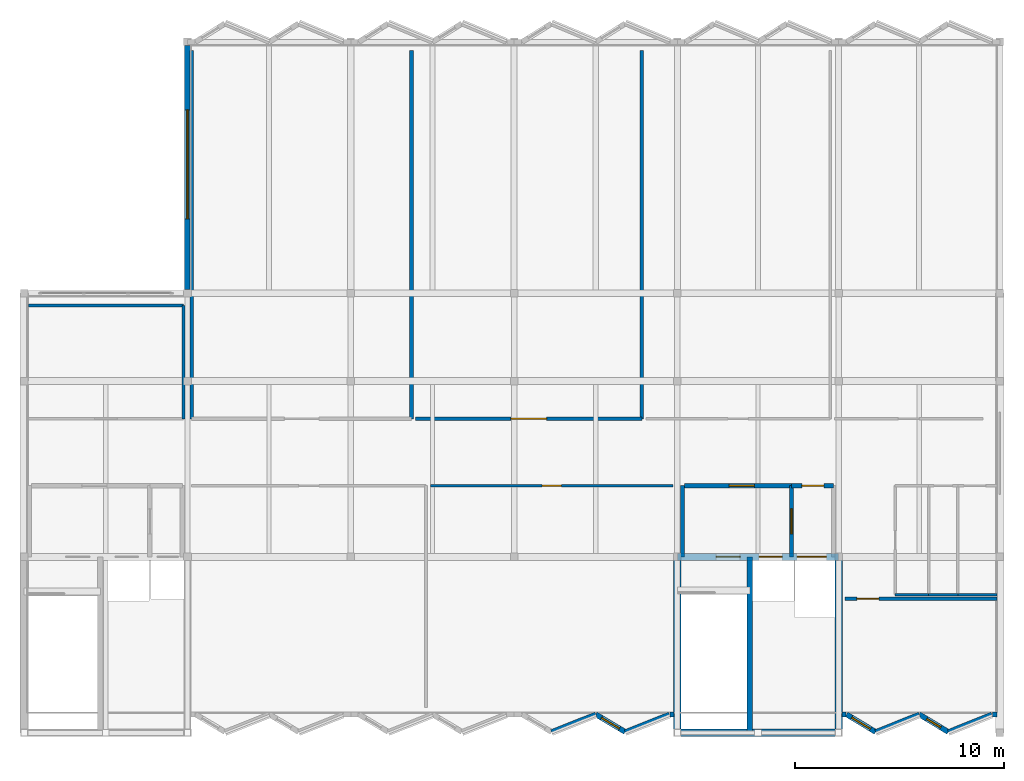
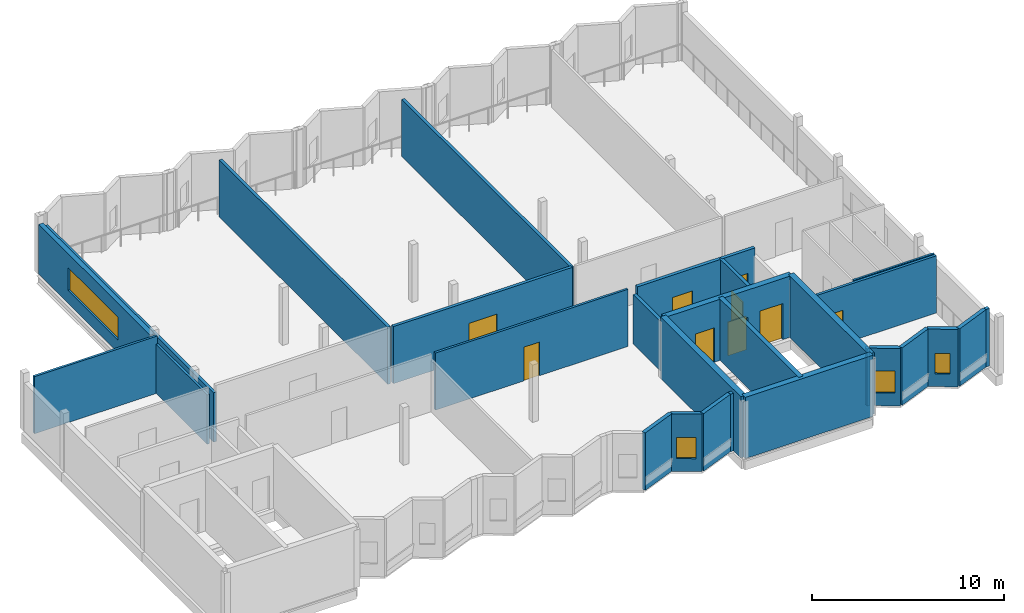
# One storey, part 5 of 8: 31 walls, 9 doors, 4 windows, 13 openings.
"""IFC4 building model written with IfcOpenShell, lengths in metres."""

from ifc_helpers import new_model, si_unit, direction, frame, frame_2d, origin, place, context, subcontext, project, spatial, rectangle, extrude, material, layer, layer_set, type_object, element, fill, save


model = new_model("IFC4")

# Units and contexts
model_context = context("Model", 3, precision=1e-05, world=origin(), true_north=direction((0.0, 1.0)))
body_context = subcontext(model_context, "Body", "Model", "MODEL_VIEW")
ifc_project = project(units=[si_unit("LENGTHUNIT", "METRE"), si_unit("AREAUNIT", "SQUARE_METRE"), si_unit("VOLUMEUNIT", "CUBIC_METRE"), si_unit("PLANEANGLEUNIT", "RADIAN"), si_unit("MASSUNIT", "GRAM", prefix="KILO")], contexts=[model_context])

# Site, building, storey
site_placement = place(None, origin())
site = spatial("IfcSite", under=ifc_project, at=site_placement, CompositionType="ELEMENT")
building_placement = place(site_placement, origin())
building = spatial("IfcBuilding", under=site, at=building_placement, Name="Vharandega Faculty of Natural Sciences", CompositionType="ELEMENT")
storey_placement = place(building_placement, frame((0.0, 0.0, 43.199951171875)))
storey = spatial("IfcBuildingStorey", under=building, at=storey_placement, Name="L11", CompositionType="ELEMENT", Elevation=43.199951171875)

# Walls
ifc_material_1 = material(Name="Acoustic masonry blockwork 15 MPa", Category="masonry")
ifc_layer_1 = layer(ifc_material_1, 0.179931640625, Name="Acoustic masonry blockwork 15 MPa")
ifc_layer_set_1 = layer_set([ifc_layer_1], Name="Acoustic masonry blockwork 15 MPa")
wall_type_1 = type_object("IfcWallType", Name="Acoustic Lecture Wall 180", PredefinedType="PARTITIONING", material=ifc_layer_set_1)
wall_1_placement = place(storey_placement, frame((122.800048828125, 79.0, 0.0), z_axis=(0.0, 0.0, 1.0), x_axis=(0.0, 1.0, 0.0)))
element("IfcWall", 1, at=wall_1_placement, inside=storey, type_object=wall_type_1, Name="Interior Wall PW-L11-R08W", PredefinedType="PARTITIONING", context=body_context, shape_type="SweptSolid", body=[
    extrude(rectangle(XDim=17.60009765625, YDim=0.179931640625, at=frame_2d((8.800048828125, 0.0))), origin(), (0.0, 0.0, 1.0), 3.14013671875),
])
wall_2_placement = place(storey_placement, frame((133.300048828125, 79.0, 0.0), z_axis=(0.0, 0.0, 1.0), x_axis=(0.0, 1.0, 0.0)))
element("IfcWall", 2, at=wall_2_placement, inside=storey, type_object=wall_type_1, Name="Interior Wall PW-L11-R08E", PredefinedType="PARTITIONING", context=body_context, shape_type="SweptSolid", body=[
    extrude(rectangle(XDim=17.60009765625, YDim=0.179931640625, at=frame_2d((8.800048828125, 0.0))), origin(), (0.0, 0.0, 1.0), 3.64013671875),
])

# Wall, opening, door
wall_3_placement = place(storey_placement, frame((133.5, 79.0, 0.0), z_axis=(0.0, 0.0, 1.0), x_axis=(1.0, 0.0, 0.0)))
wall_3 = element("IfcWall", 3, at=wall_3_placement, inside=storey, type_object=wall_type_1, Name="Interior Wall PW-L11-R09S", PredefinedType="PARTITIONING", context=body_context, shape_type="SweptSolid", body=[
    extrude(rectangle(XDim=10.800048828125, YDim=0.179931640625, at=frame_2d((5.39990234375, 0.0))), origin(), (0.0, 0.0, 1.0), 3.64013671875),
])
opening_1_placement = place(wall_3_placement, frame((4.550048828125, 0.0, 0.0)))
opening_1 = element("IfcOpeningElement", 4, at=opening_1_placement, cuts=wall_3, Name="Opening D0391", PredefinedType="OPENING", context=body_context, shape_type="SweptSolid", body=[
    extrude(rectangle(XDim=1.699951171875, YDim=2.25, at=frame_2d((0.85009765625, 1.125))), frame((0.0, 0.10009765625, 0.0), z_axis=(0.0, -1.0, 0.0), x_axis=(1.0, 0.0, 0.0)), (0.0, 0.0, 1.0), 0.199951171875),
])
ifc_material_2 = material(Name="Solid-core hardwood timber fire door", Category="wood")
door_type_1 = type_object("IfcDoorType", Name="ID01-LECTURE-DBL-1700x2250", OperationType="DOUBLE_DOOR_SINGLE_SWING", PredefinedType="DOOR", material=ifc_material_2)
door_1_placement = place(opening_1_placement, origin())
door_1 = element("IfcDoor", 5, at=door_1_placement, inside=storey, type_object=door_type_1, Name="Natural Sciences Senior Colloquium Hall Door D0391", OperationType="DOUBLE_DOOR_SINGLE_SWING", OverallHeight=2.25, OverallWidth=1.699951171875, PredefinedType="DOOR", context=body_context, shape_type="SweptSolid", body=[
    extrude(rectangle(XDim=1.699951171875, YDim=2.25, at=frame_2d((0.85009765625, 1.125))), frame((0.0, 0.02490234375, 0.0), z_axis=(0.0, -1.0, 0.0), x_axis=(1.0, 0.0, 0.0)), (0.0, 0.0, 1.0), 0.050048828125),
])
fill(opening_1, door_1)

# Walls
wall_4_placement = place(storey_placement, frame((144.300048828125, 79.0, 0.0), z_axis=(0.0, 0.0, 1.0), x_axis=(0.0, 1.0, 0.0)))
element("IfcWall", 6, at=wall_4_placement, inside=storey, type_object=wall_type_1, Name="Interior Wall PW-L11-R09E", PredefinedType="PARTITIONING", context=body_context, shape_type="SweptSolid", body=[
    extrude(rectangle(XDim=17.60009765625, YDim=0.179931640625, at=frame_2d((8.800048828125, 0.0))), origin(), (0.0, 0.0, 1.0), 3.64013671875),
])
ifc_material_3 = material(Name="Concrete C40/50", Category="concrete")
ifc_layer_2 = layer(ifc_material_3, 0.35009765625, Name="Concrete C40/50")
ifc_layer_set_2 = layer_set([ifc_layer_2], Name="Concrete C40/50")
wall_type_2 = type_object("IfcWallType", Name="Core Shear Wall 350", PredefinedType="SHEAR", material=ifc_layer_set_2)
wall_5_placement = place(storey_placement, frame((146.0, 64.0, 0.0), z_axis=(0.0, 0.0, 1.0), x_axis=(1.0, 0.0, 0.0)))
element("IfcWall", 7, at=wall_5_placement, inside=storey, type_object=wall_type_2, Name="Interior Wall CW-C2-L11-S", PredefinedType="SHEAR", context=body_context, shape_type="SweptSolid", body=[
    extrude(rectangle(XDim=7.699951171875, YDim=0.35009765625, at=frame_2d((3.85009765625, 0.0))), origin(), (0.0, 0.0, 1.0), 3.900146484375),
])
for number, where, z_axis, x_axis, name in (
    (8, (146.0, 64.0, 0.0), (0.0, 0.0, 1.0), (0.0, 1.0, 0.0), "Interior Wall CW-C2-L11-W"),
    (9, (153.699951171875, 64.0, 0.0), (0.0, 0.0, 1.0), (0.0, 1.0, 0.0), "Interior Wall CW-C2-L11-E"),
):
    element("IfcWall", number, at=place(storey_placement, frame(where, z_axis=z_axis, x_axis=x_axis)), inside=storey, type_object=wall_type_2, Name=name, PredefinedType="SHEAR", context=body_context, shape_type="SweptSolid", body=[
        extrude(rectangle(XDim=8.39990234375, YDim=0.35009765625, at=frame_2d((4.199951171875, 0.0))), origin(), (0.0, 0.0, 1.0), 3.900146484375),
    ])

# Wall, openings, doors
wall_6_placement = place(storey_placement, frame((146.0, 72.39990234375, 0.0), z_axis=(0.0, 0.0, 1.0), x_axis=(1.0, 0.0, 0.0)))
wall_6 = element("IfcWall", 10, at=wall_6_placement, inside=storey, type_object=wall_type_2, Name="Interior Wall CW-C2-L11-N", PredefinedType="SHEAR", context=body_context, shape_type="SweptSolid", body=[
    extrude(rectangle(XDim=7.699951171875, YDim=0.35009765625, at=frame_2d((3.85009765625, 0.0))), origin(), (0.0, 0.0, 1.0), 3.900146484375),
])
opening_2_placement = place(wall_6_placement, frame((1.85009765625, 0.0, 0.0)))
opening_2 = element("IfcOpeningElement", 11, at=opening_2_placement, cuts=wall_6, Name="Opening FD1", PredefinedType="OPENING", context=body_context, shape_type="SweptSolid", body=[
    extrude(rectangle(XDim=1.14990234375, YDim=2.199951171875, at=frame_2d((0.574951171875, 1.10009765625))), frame((0.0, 0.18505859375, 0.0), z_axis=(0.0, -1.0, 0.0), x_axis=(1.0, 0.0, 0.0)), (0.0, 0.0, 1.0), 0.3701171875),
])
opening_3_placement = place(wall_6_placement, frame((3.89990234375, 0.0, 0.0)))
opening_3 = element("IfcOpeningElement", 12, at=opening_3_placement, cuts=wall_6, Name="Opening LD-FL2-L11", PredefinedType="OPENING", context=body_context, shape_type="SweptSolid", body=[
    extrude(rectangle(XDim=1.10009765625, YDim=2.14990234375, at=frame_2d((0.550048828125, 1.074951171875))), frame((0.0, 0.18505859375, 0.0), z_axis=(0.0, -1.0, 0.0), x_axis=(1.0, 0.0, 0.0)), (0.0, 0.0, 1.0), 0.3701171875),
])
opening_4_placement = place(wall_6_placement, frame((5.719970703125, 0.0, 0.0)))
opening_4 = element("IfcOpeningElement", 13, at=opening_4_placement, cuts=wall_6, Name="Opening LD-LG1-L11", PredefinedType="OPENING", context=body_context, shape_type="SweptSolid", body=[
    extrude(rectangle(XDim=1.39990234375, YDim=2.300048828125, at=frame_2d((0.699951171875, 1.14990234375))), frame((0.0, 0.18505859375, 0.0), z_axis=(0.0, -1.0, 0.0), x_axis=(1.0, 0.0, 0.0)), (0.0, 0.0, 1.0), 0.3701171875),
])
ifc_material_4 = material(Name="Solid-core hardwood timber fire door", Category="wood")
door_type_2 = type_object("IfcDoorType", Name="FD1-STAIR-1150x2200", OperationType="NOTDEFINED", PredefinedType="DOOR", material=ifc_material_4)
door_2_placement = place(opening_2_placement, origin())
door_2 = element("IfcDoor", 14, at=door_2_placement, inside=storey, type_object=door_type_2, Name="Stair ST2 Fire Door FD1", OperationType="SINGLE_SWING_LEFT", OverallHeight=2.199951171875, OverallWidth=1.14990234375, PredefinedType="DOOR", context=body_context, shape_type="SweptSolid", body=[
    extrude(rectangle(XDim=1.14990234375, YDim=2.199951171875, at=frame_2d((0.574951171875, 1.10009765625))), frame((0.0, 0.02490234375, 0.0), z_axis=(0.0, -1.0, 0.0), x_axis=(1.0, 0.0, 0.0)), (0.0, 0.0, 1.0), 0.050048828125),
])
fill(opening_2, door_2)
ifc_material_5 = material(Name="Brushed stainless steel sliding landing door", Category="steel")
door_type_3 = type_object("IfcDoorType", Name="LD1-FFLIFT-SLIDING-1100x2150", OperationType="DOUBLE_DOOR_SLIDING", PredefinedType="DOOR", material=ifc_material_5)
door_3_placement = place(opening_3_placement, origin())
door_3 = element("IfcDoor", 15, at=door_3_placement, inside=storey, type_object=door_type_3, Name="Lift Landing Door LD-FL2-L11", OperationType="DOUBLE_DOOR_SLIDING", OverallHeight=2.14990234375, OverallWidth=1.10009765625, PredefinedType="DOOR", context=body_context, shape_type="SweptSolid", body=[
    extrude(rectangle(XDim=1.10009765625, YDim=2.14990234375, at=frame_2d((0.550048828125, 1.074951171875))), frame((0.0, 0.02490234375, 0.0), z_axis=(0.0, -1.0, 0.0), x_axis=(1.0, 0.0, 0.0)), (0.0, 0.0, 1.0), 0.050048828125),
])
fill(opening_3, door_3)
ifc_material_6 = material(Name="Brushed stainless steel sliding landing door", Category="steel")
door_type_4 = type_object("IfcDoorType", Name="LD3-GOODSLIFT-SLIDING-1400x2300", OperationType="DOUBLE_DOOR_SLIDING", PredefinedType="DOOR", material=ifc_material_6)
door_4_placement = place(opening_4_placement, origin())
door_4 = element("IfcDoor", 16, at=door_4_placement, inside=storey, type_object=door_type_4, Name="Lift Landing Door LD-LG1-L11", OperationType="DOUBLE_DOOR_SLIDING", OverallHeight=2.300048828125, OverallWidth=1.39990234375, PredefinedType="DOOR", context=body_context, shape_type="SweptSolid", body=[
    extrude(rectangle(XDim=1.39990234375, YDim=2.300048828125, at=frame_2d((0.699951171875, 1.14990234375))), frame((0.0, 0.02490234375, 0.0), z_axis=(0.0, -1.0, 0.0), x_axis=(1.0, 0.0, 0.0)), (0.0, 0.0, 1.0), 0.050048828125),
])
fill(opening_4, door_4)

# Wall, opening, door
ifc_material_7 = material(Name="Concrete C40/50", Category="concrete")
ifc_layer_3 = layer(ifc_material_7, 0.199951171875, Name="Concrete C40/50")
ifc_layer_set_3 = layer_set([ifc_layer_3], Name="Concrete C40/50")
wall_type_3 = type_object("IfcWallType", Name="Firefighting Lobby Wall 200", PredefinedType="PARTITIONING", material=ifc_layer_set_3)
wall_7_placement = place(storey_placement, frame((146.35009765625, 75.800048828125, 0.0), z_axis=(0.0, 0.0, 1.0), x_axis=(1.0, 0.0, 0.0)))
wall_7 = element("IfcWall", 17, at=wall_7_placement, inside=storey, type_object=wall_type_3, Name="Interior Wall PW-FFL-C2-L11-N", PredefinedType="PARTITIONING", context=body_context, shape_type="SweptSolid", body=[
    extrude(rectangle(XDim=5.099853515625, YDim=0.199951171875, at=frame_2d((2.5498046875, 0.0))), origin(), (0.0, 0.0, 1.0), 3.6201171875),
])
opening_5_placement = place(wall_7_placement, frame((2.125, 0.0, 0.0)))
opening_5 = element("IfcOpeningElement", 18, at=opening_5_placement, cuts=wall_7, Name="Opening FD2", PredefinedType="OPENING", context=body_context, shape_type="SweptSolid", body=[
    extrude(rectangle(XDim=1.199951171875, YDim=2.199951171875, at=frame_2d((0.60009765625, 1.10009765625))), frame((0.0, 0.10986328125, 0.0), z_axis=(0.0, -1.0, 0.0), x_axis=(1.0, 0.0, 0.0)), (0.0, 0.0, 1.0), 0.219970703125),
])
ifc_material_8 = material(Name="Solid-core hardwood timber fire door", Category="wood")
door_type_5 = type_object("IfcDoorType", Name="FD2-FFLOBBY-1200x2200", OperationType="NOTDEFINED", PredefinedType="DOOR", material=ifc_material_8)
door_5_placement = place(opening_5_placement, origin())
door_5 = element("IfcDoor", 19, at=door_5_placement, inside=storey, type_object=door_type_5, Name="Firefighting Lobby C2 Door FD2", OperationType="SINGLE_SWING_LEFT", OverallHeight=2.199951171875, OverallWidth=1.199951171875, PredefinedType="DOOR", context=body_context, shape_type="SweptSolid", body=[
    extrude(rectangle(XDim=1.199951171875, YDim=2.199951171875, at=frame_2d((0.60009765625, 1.10009765625))), frame((0.0, 0.02490234375, 0.0), z_axis=(0.0, -1.0, 0.0), x_axis=(1.0, 0.0, 0.0)), (0.0, 0.0, 1.0), 0.050048828125),
])
fill(opening_5, door_5)

# Wall
wall_8_placement = place(storey_placement, frame((146.25, 72.39990234375, 0.0), z_axis=(0.0, 0.0, 1.0), x_axis=(0.0, 1.0, 0.0)))
element("IfcWall", 20, at=wall_8_placement, inside=storey, type_object=wall_type_3, Name="Interior Wall PW-FFL-C2-L11-W", PredefinedType="PARTITIONING", context=body_context, shape_type="SweptSolid", body=[
    extrude(rectangle(XDim=3.400146484375, YDim=0.199951171875, at=frame_2d((1.7001953125, 0.0))), origin(), (0.0, 0.0, 1.0), 3.14013671875),
])

# Wall, opening, door
wall_9_placement = place(storey_placement, frame((151.449951171875, 72.39990234375, 0.0), z_axis=(0.0, 0.0, 1.0), x_axis=(0.0, 1.0, 0.0)))
wall_9 = element("IfcWall", 21, at=wall_9_placement, inside=storey, type_object=wall_type_3, Name="Interior Wall PW-FFL-C2-L11-E", PredefinedType="PARTITIONING", context=body_context, shape_type="SweptSolid", body=[
    extrude(rectangle(XDim=3.400146484375, YDim=0.199951171875, at=frame_2d((1.7001953125, 0.0))), origin(), (0.0, 0.0, 1.0), 3.6201171875),
])
opening_6_placement = place(wall_9_placement, frame((1.10009765625, 0.0, 0.0)))
opening_6 = element("IfcOpeningElement", 22, at=opening_6_placement, cuts=wall_9, Name="Opening FD2", PredefinedType="OPENING", context=body_context, shape_type="SweptSolid", body=[
    extrude(rectangle(XDim=1.199951171875, YDim=2.199951171875, at=frame_2d((0.60009765625, 1.10009765625))), frame((0.0, 0.10986328125, 0.0), z_axis=(0.0, -1.0, 0.0), x_axis=(1.0, 0.0, 0.0)), (0.0, 0.0, 1.0), 0.219970703125),
])
door_6_placement = place(opening_6_placement, origin())
door_6 = element("IfcDoor", 23, at=door_6_placement, inside=storey, type_object=door_type_5, Name="Lobby Interconnect C2 Door FD2", OperationType="SINGLE_SWING_RIGHT", OverallHeight=2.199951171875, OverallWidth=1.199951171875, PredefinedType="DOOR", context=body_context, shape_type="SweptSolid", body=[
    extrude(rectangle(XDim=1.199951171875, YDim=2.199951171875, at=frame_2d((0.60009765625, 1.10009765625))), frame((0.0, 0.02490234375, 0.0), z_axis=(0.0, -1.0, 0.0), x_axis=(1.0, 0.0, 0.0)), (0.0, 0.0, 1.0), 0.050048828125),
])
fill(opening_6, door_6)

wall_10_placement = place(storey_placement, frame((151.449951171875, 75.800048828125, 0.0), z_axis=(0.0, 0.0, 1.0), x_axis=(1.0, 0.0, 0.0)))
wall_10 = element("IfcWall", 24, at=wall_10_placement, inside=storey, type_object=wall_type_3, Name="Interior Wall PW-LL-C2-L11-N", PredefinedType="PARTITIONING", context=body_context, shape_type="SweptSolid", body=[
    extrude(rectangle(XDim=2.0, YDim=0.199951171875, at=frame_2d((1.0, 0.0))), origin(), (0.0, 0.0, 1.0), 3.6201171875),
])
opening_7_placement = place(wall_10_placement, frame((0.5, 0.0, 0.0)))
opening_7 = element("IfcOpeningElement", 25, at=opening_7_placement, cuts=wall_10, Name="Opening FD4", PredefinedType="OPENING", context=body_context, shape_type="SweptSolid", body=[
    extrude(rectangle(XDim=1.050048828125, YDim=2.14990234375, at=frame_2d((0.52490234375, 1.074951171875))), frame((0.0, 0.10986328125, 0.0), z_axis=(0.0, -1.0, 0.0), x_axis=(1.0, 0.0, 0.0)), (0.0, 0.0, 1.0), 0.219970703125),
])
ifc_material_9 = material(Name="Solid-core hardwood timber fire door", Category="wood")
door_type_6 = type_object("IfcDoorType", Name="FD4-LAB-SGL-1050x2150", OperationType="NOTDEFINED", PredefinedType="DOOR", material=ifc_material_9)
door_7_placement = place(opening_7_placement, origin())
door_7 = element("IfcDoor", 26, at=door_7_placement, inside=storey, type_object=door_type_6, Name="Lift Lobby C2 Door FD4", OperationType="SINGLE_SWING_LEFT", OverallHeight=2.14990234375, OverallWidth=1.050048828125, PredefinedType="DOOR", context=body_context, shape_type="SweptSolid", body=[
    extrude(rectangle(XDim=1.050048828125, YDim=2.14990234375, at=frame_2d((0.52490234375, 1.074951171875))), frame((0.0, 0.02490234375, 0.0), z_axis=(0.0, -1.0, 0.0), x_axis=(1.0, 0.0, 0.0)), (0.0, 0.0, 1.0), 0.050048828125),
])
fill(opening_7, door_7)

ifc_material_10 = material(Name="Gypsum fire-board on steel stud", Category="steel")
ifc_layer_4 = layer(ifc_material_10, 0.159912109375, Name="Gypsum fire-board on steel stud")
ifc_layer_set_4 = layer_set([ifc_layer_4], Name="Gypsum fire-board on steel stud")
wall_type_4 = type_object("IfcWallType", Name="Laboratory Fire Corridor Wall 160", PredefinedType="PARTITIONING", material=ifc_layer_set_4)
wall_11_placement = place(storey_placement, frame((154.0, 70.39990234375, 0.0), z_axis=(0.0, 0.0, 1.0), x_axis=(1.0, 0.0, 0.0)))
wall_11 = element("IfcWall", 27, at=wall_11_placement, inside=storey, type_object=wall_type_4, Name="Interior Wall PW-L11-R07N", PredefinedType="PARTITIONING", context=body_context, shape_type="SweptSolid", body=[
    extrude(rectangle(XDim=7.260009765625, YDim=0.159912109375, at=frame_2d((3.6298828125, 0.0))), origin(), (0.0, 0.0, 1.0), 3.64013671875),
])
opening_8_placement = place(wall_11_placement, frame((0.574951171875, 0.0, 0.0)))
opening_8 = element("IfcOpeningElement", 28, at=opening_8_placement, cuts=wall_11, Name="Opening FD4", PredefinedType="OPENING", context=body_context, shape_type="SweptSolid", body=[
    extrude(rectangle(XDim=1.050048828125, YDim=2.14990234375, at=frame_2d((0.52490234375, 1.074951171875))), frame((0.0, 0.08984375, 0.0), z_axis=(0.0, -1.0, 0.0), x_axis=(1.0, 0.0, 0.0)), (0.0, 0.0, 1.0), 0.179931640625),
])
door_8_placement = place(opening_8_placement, origin())
door_8 = element("IfcDoor", 29, at=door_8_placement, inside=storey, type_object=door_type_6, Name="L11 Laboratory Reagent Store Door FD4", OperationType="SINGLE_SWING_RIGHT", OverallHeight=2.14990234375, OverallWidth=1.050048828125, PredefinedType="DOOR", context=body_context, shape_type="SweptSolid", body=[
    extrude(rectangle(XDim=1.050048828125, YDim=2.14990234375, at=frame_2d((0.52490234375, 1.074951171875))), frame((0.0, 0.02490234375, 0.0), z_axis=(0.0, -1.0, 0.0), x_axis=(1.0, 0.0, 0.0)), (0.0, 0.0, 1.0), 0.050048828125),
])
fill(opening_8, door_8)

# Walls
ifc_material_11 = material(Name="Concrete C40/50", Category="concrete")
ifc_layer_5 = layer(ifc_material_11, 0.260009765625, Name="Concrete C40/50")
ifc_layer_set_5 = layer_set([ifc_layer_5], Name="Concrete C40/50")
wall_type_5 = type_object("IfcWallType", Name="Lift Shaft Shear Wall 260", PredefinedType="SHEAR", material=ifc_layer_set_5)
wall_12_placement = place(storey_placement, frame((149.4599609375, 64.0, 0.0), z_axis=(0.0, 0.0, 1.0), x_axis=(0.0, 1.0, 0.0)))
element("IfcWall", 30, at=wall_12_placement, inside=storey, type_object=wall_type_5, Name="Interior Wall CW-C2-L11-DIV", PredefinedType="SHEAR", context=body_context, shape_type="SweptSolid", body=[
    extrude(rectangle(XDim=8.39990234375, YDim=0.260009765625, at=frame_2d((4.199951171875, 0.0))), origin(), (0.0, 0.0, 1.0), 3.900146484375),
])
ifc_material_12 = material(Name="Gypsum acoustic partition", Category="gypsum")
ifc_layer_6 = layer(ifc_material_12, 0.139892578125, Name="Gypsum acoustic partition")
ifc_layer_set_6 = layer_set([ifc_layer_6], Name="Gypsum acoustic partition")
wall_type_6 = type_object("IfcWallType", Name="Room Partition Wall 140", PredefinedType="PARTITIONING", material=ifc_layer_set_6)
wall_13_placement = place(storey_placement, frame((115.0, 84.39990234375, 0.0), z_axis=(0.0, 0.0, 1.0), x_axis=(1.0, 0.0, 0.0)))
element("IfcWall", 31, at=wall_13_placement, inside=storey, type_object=wall_type_6, Name="Interior Wall PW-L11-R01N", PredefinedType="PARTITIONING", context=body_context, shape_type="SweptSolid", body=[
    extrude(rectangle(XDim=7.39990234375, YDim=0.139892578125, at=frame_2d((3.699951171875, 0.0))), origin(), (0.0, 0.0, 1.0), 3.64013671875),
])
wall_14_placement = place(storey_placement, frame((122.39990234375, 79.0, 0.0), z_axis=(0.0, 0.0, 1.0), x_axis=(0.0, 1.0, 0.0)))
element("IfcWall", 32, at=wall_14_placement, inside=storey, type_object=wall_type_6, Name="Interior Wall PW-L11-R01E", PredefinedType="PARTITIONING", context=body_context, shape_type="SweptSolid", body=[
    extrude(rectangle(XDim=5.39990234375, YDim=0.139892578125, at=frame_2d((2.699951171875, 0.0))), origin(), (0.0, 0.0, 1.0), 3.14013671875),
])

# Wall, opening, door
wall_15_placement = place(storey_placement, frame((134.199951171875, 75.800048828125, 0.0), z_axis=(0.0, 0.0, 1.0), x_axis=(1.0, 0.0, 0.0)))
wall_15 = element("IfcWall", 33, at=wall_15_placement, inside=storey, type_object=wall_type_6, Name="Interior Wall PW-L11-R03N", PredefinedType="PARTITIONING", context=body_context, shape_type="SweptSolid", body=[
    extrude(rectangle(XDim=11.60009765625, YDim=0.139892578125, at=frame_2d((5.800048828125, 0.0))), origin(), (0.0, 0.0, 1.0), 3.64013671875),
])
opening_9_placement = place(wall_15_placement, frame((5.340087890625, 0.0, 0.0)))
opening_9 = element("IfcOpeningElement", 34, at=opening_9_placement, cuts=wall_15, Name="Opening D0385", PredefinedType="OPENING", context=body_context, shape_type="SweptSolid", body=[
    extrude(rectangle(XDim=0.919921875, YDim=2.14990234375, at=frame_2d((0.4599609375, 1.074951171875))), frame((0.0, 0.080078125, 0.0), z_axis=(0.0, -1.0, 0.0), x_axis=(1.0, 0.0, 0.0)), (0.0, 0.0, 1.0), 0.159912109375),
])
ifc_material_13 = material(Name="Solid-core hardwood timber fire door", Category="wood")
door_type_7 = type_object("IfcDoorType", Name="ID05-OFFICE-0920x2150", OperationType="NOTDEFINED", PredefinedType="DOOR", material=ifc_material_13)
door_9_placement = place(opening_9_placement, origin())
door_9 = element("IfcDoor", 35, at=door_9_placement, inside=storey, type_object=door_type_7, Name="Visiting Fellows Seminar Room 1101 Door D0385", OperationType="SINGLE_SWING_RIGHT", OverallHeight=2.14990234375, OverallWidth=0.919921875, PredefinedType="DOOR", context=body_context, shape_type="SweptSolid", body=[
    extrude(rectangle(XDim=0.919921875, YDim=2.14990234375, at=frame_2d((0.4599609375, 1.074951171875))), frame((0.0, 0.02490234375, 0.0), z_axis=(0.0, -1.0, 0.0), x_axis=(1.0, 0.0, 0.0)), (0.0, 0.0, 1.0), 0.050048828125),
])
fill(opening_9, door_9)

# Walls
ifc_material_14 = material(Name="Moisture-resistant gypsum partition", Category="gypsum")
ifc_layer_7 = layer(ifc_material_14, 0.1201171875, Name="Moisture-resistant gypsum partition")
ifc_layer_set_7 = layer_set([ifc_layer_7], Name="Moisture-resistant gypsum partition")
wall_type_7 = type_object("IfcWallType", Name="Sanitary Wet Wall 120", PredefinedType="PARTITIONING", material=ifc_layer_set_7)
wall_16_placement = place(storey_placement, frame((156.39990234375, 70.60009765625, 0.0), z_axis=(0.0, 0.0, 1.0), x_axis=(1.0, 0.0, 0.0)))
element("IfcWall", 36, at=wall_16_placement, inside=storey, type_object=wall_type_7, Name="Interior Wall PW-L11-R04S", PredefinedType="PARTITIONING", context=body_context, shape_type="SweptSolid", body=[
    extrude(rectangle(XDim=1.60009765625, YDim=0.1201171875, at=frame_2d((0.800048828125, 0.0))), origin(), (0.0, 0.0, 1.0), 3.64013671875),
])
wall_17_placement = place(storey_placement, frame((158.0, 70.60009765625, 0.0), z_axis=(0.0, 0.0, 1.0), x_axis=(1.0, 0.0, 0.0)))
element("IfcWall", 37, at=wall_17_placement, inside=storey, type_object=wall_type_7, Name="Interior Wall PW-L11-R05S", PredefinedType="PARTITIONING", context=body_context, shape_type="SweptSolid", body=[
    extrude(rectangle(XDim=1.39990234375, YDim=0.1201171875, at=frame_2d((0.699951171875, 0.0))), origin(), (0.0, 0.0, 1.0), 3.64013671875),
])
wall_18_placement = place(storey_placement, frame((159.39990234375, 70.60009765625, 0.0), z_axis=(0.0, 0.0, 1.0), x_axis=(1.0, 0.0, 0.0)))
element("IfcWall", 38, at=wall_18_placement, inside=storey, type_object=wall_type_7, Name="Interior Wall PW-L11-R06S", PredefinedType="PARTITIONING", context=body_context, shape_type="SweptSolid", body=[
    extrude(rectangle(XDim=1.860107421875, YDim=0.1201171875, at=frame_2d((0.93017578125, 0.0))), origin(), (0.0, 0.0, 1.0), 3.64013671875),
])

# Wall, opening, window
ifc_material_15 = material(Name="Precast concrete C40/50", Category="concrete")
ifc_layer_8 = layer(ifc_material_15, 0.25, Name="Precast concrete C40/50")
ifc_layer_set_8 = layer_set([ifc_layer_8], Name="Precast concrete C40/50")
wall_type_8 = type_object("IfcWallType", Name="Sawtooth Glazed-Face Precast Wall 250", PredefinedType="SOLIDWALL", material=ifc_layer_set_8)
wall_19_placement = place(storey_placement, frame((143.508056640625, 64.0400390625, 0.0), z_axis=(0.0, 0.0, 1.0), x_axis=(-0.858817206091, 0.512282155185, 0.0)))
wall_19 = element("IfcWall", 39, at=wall_19_placement, inside=storey, type_object=wall_type_8, Name="Exterior Wall EW-SAW-L11-S06G", PredefinedType="SOLIDWALL", context=body_context, shape_type="SweptSolid", body=[
    extrude(rectangle(XDim=1.639404296875, YDim=0.25, at=frame_2d((0.81982421875, 0.0))), origin(), (0.0, 0.0, 1.0), 3.66015625),
])
opening_10_placement = place(wall_19_placement, frame((0.31982421875, 0.0, 0.820068359375)))
opening_10 = element("IfcOpeningElement", 40, at=opening_10_placement, cuts=wall_19, Name="Opening WN-05", PredefinedType="OPENING", context=body_context, shape_type="SweptSolid", body=[
    extrude(rectangle(XDim=1.0, YDim=1.35009765625, at=frame_2d((0.5, 0.675048828125))), frame((0.0, 0.135009765625, 0.0), z_axis=(0.0, -1.0, 0.0), x_axis=(1.0, 0.0, 0.0)), (0.0, 0.0, 1.0), 0.27001953125),
])
ifc_material_16 = material(Name="Double-glazed solar-control glass in thermally broken aluminium frame", Category="aluminium")
window_type_1 = type_object("IfcWindowType", Name="WIN-SAW-100x135", PartitioningType="SINGLE_PANEL", PredefinedType="WINDOW", material=ifc_material_16)
window_1_placement = place(opening_10_placement, origin())
window_1 = element("IfcWindow", 41, at=window_1_placement, inside=storey, type_object=window_type_1, Name="Window WIN-L11-0144", OverallHeight=1.35009765625, OverallWidth=1.0, PartitioningType="SINGLE_PANEL", PredefinedType="WINDOW", context=body_context, shape_type="SweptSolid", body=[
    extrude(rectangle(XDim=1.0, YDim=1.35009765625, at=frame_2d((0.5, 0.675048828125))), frame((0.0, 0.030029296875, 0.0), z_axis=(0.0, -1.0, 0.0), x_axis=(1.0, 0.0, 0.0)), (0.0, 0.0, 1.0), 0.06005859375),
])
fill(opening_10, window_1)

wall_20_placement = place(storey_placement, frame((155.468017578125, 64.0400390625, 0.0), z_axis=(0.0, 0.0, 1.0), x_axis=(-0.855561475997, 0.51770122734, 0.0)))
wall_20 = element("IfcWall", 42, at=wall_20_placement, inside=storey, type_object=wall_type_8, Name="Exterior Wall EW-SAW-L11-S07G", PredefinedType="SOLIDWALL", context=body_context, shape_type="SweptSolid", body=[
    extrude(rectangle(XDim=1.622314453125, YDim=0.25, at=frame_2d((0.81103515625, 0.0))), origin(), (0.0, 0.0, 1.0), 3.66015625),
])
opening_11_placement = place(wall_20_placement, frame((0.2861328125, 0.0, 0.820068359375)))
opening_11 = element("IfcOpeningElement", 43, at=opening_11_placement, cuts=wall_20, Name="Opening WN-06", PredefinedType="OPENING", context=body_context, shape_type="SweptSolid", body=[
    extrude(rectangle(XDim=1.050048828125, YDim=1.39990234375, at=frame_2d((0.52490234375, 0.699951171875))), frame((0.0, 0.135009765625, 0.0), z_axis=(0.0, -1.0, 0.0), x_axis=(1.0, 0.0, 0.0)), (0.0, 0.0, 1.0), 0.27001953125),
])
ifc_material_17 = material(Name="Double-glazed solar-control glass in thermally broken aluminium frame", Category="aluminium")
window_type_2 = type_object("IfcWindowType", Name="WIN-SAW-105x140", PartitioningType="SINGLE_PANEL", PredefinedType="WINDOW", material=ifc_material_17)
window_2_placement = place(opening_11_placement, origin())
window_2 = element("IfcWindow", 44, at=window_2_placement, inside=storey, type_object=window_type_2, Name="Window WIN-L11-0145", OverallHeight=1.39990234375, OverallWidth=1.050048828125, PartitioningType="SINGLE_PANEL", PredefinedType="WINDOW", context=body_context, shape_type="SweptSolid", body=[
    extrude(rectangle(XDim=1.050048828125, YDim=1.39990234375, at=frame_2d((0.52490234375, 0.699951171875))), frame((0.0, 0.030029296875, 0.0), z_axis=(0.0, -1.0, 0.0), x_axis=(1.0, 0.0, 0.0)), (0.0, 0.0, 1.0), 0.06005859375),
])
fill(opening_11, window_2)

wall_21_placement = place(storey_placement, frame((158.93798828125, 64.0400390625, 0.0), z_axis=(0.0, 0.0, 1.0), x_axis=(-0.855561475997, 0.51770122734, 0.0)))
wall_21 = element("IfcWall", 45, at=wall_21_placement, inside=storey, type_object=wall_type_8, Name="Exterior Wall EW-SAW-L11-S08G", PredefinedType="SOLIDWALL", context=body_context, shape_type="SweptSolid", body=[
    extrude(rectangle(XDim=1.622314453125, YDim=0.25, at=frame_2d((0.81103515625, 0.0))), origin(), (0.0, 0.0, 1.0), 3.66015625),
])
opening_12_placement = place(wall_21_placement, frame((0.421142578125, 0.0, 0.820068359375)))
opening_12 = element("IfcOpeningElement", 46, at=opening_12_placement, cuts=wall_21, Name="Opening WN-06A", PredefinedType="OPENING", context=body_context, shape_type="SweptSolid", body=[
    extrude(rectangle(XDim=0.780029296875, YDim=1.300048828125, at=frame_2d((0.39013671875, 0.64990234375))), frame((0.0, 0.135009765625, 0.0), z_axis=(0.0, -1.0, 0.0), x_axis=(1.0, 0.0, 0.0)), (0.0, 0.0, 1.0), 0.27001953125),
])
ifc_material_18 = material(Name="Double-glazed solar-control glass in thermally broken aluminium frame", Category="aluminium")
window_type_3 = type_object("IfcWindowType", Name="WIN-SAW-078x130", PartitioningType="SINGLE_PANEL", PredefinedType="WINDOW", material=ifc_material_18)
window_3_placement = place(opening_12_placement, origin())
window_3 = element("IfcWindow", 47, at=window_3_placement, inside=storey, type_object=window_type_3, Name="Window WIN-L11-0146", OverallHeight=1.300048828125, OverallWidth=0.780029296875, PartitioningType="SINGLE_PANEL", PredefinedType="WINDOW", context=body_context, shape_type="SweptSolid", body=[
    extrude(rectangle(XDim=0.780029296875, YDim=1.300048828125, at=frame_2d((0.39013671875, 0.64990234375))), frame((0.0, 0.030029296875, 0.0), z_axis=(0.0, -1.0, 0.0), x_axis=(1.0, 0.0, 0.0)), (0.0, 0.0, 1.0), 0.06005859375),
])
fill(opening_12, window_3)

# Walls
ifc_material_19 = material(Name="Precast concrete C40/50", Category="concrete")
ifc_layer_9 = layer(ifc_material_19, 0.22998046875, Name="Precast concrete C40/50")
ifc_layer_set_9 = layer_set([ifc_layer_9], Name="Precast concrete C40/50")
wall_type_9 = type_object("IfcWallType", Name="Sawtooth Solid White Precast Wall 230", PredefinedType="SOLIDWALL", material=ifc_layer_set_9)
wall_22_placement = place(storey_placement, frame((145.830078125, 64.8798828125, 0.0), z_axis=(0.0, 0.0, 1.0), x_axis=(-1.0, 0.0, 0.0)))
element("IfcWall", 48, at=wall_22_placement, inside=storey, type_object=wall_type_9, Name="Exterior Wall EW-SHL-L11-S1819FR", PredefinedType="SOLIDWALL", context=body_context, shape_type="SweptSolid", body=[
    extrude(rectangle(XDim=0.190185546875, YDim=0.22998046875, at=frame_2d((0.09521484375, 0.0))), origin(), (0.0, 0.0, 1.0), 3.66015625),
])
wall_23_placement = place(storey_placement, frame((154.050048828125, 64.8798828125, 0.0), z_axis=(0.0, 0.0, 1.0), x_axis=(-1.0, 0.0, 0.0)))
element("IfcWall", 49, at=wall_23_placement, inside=storey, type_object=wall_type_9, Name="Exterior Wall EW-SHL-L11-S2021FL", PredefinedType="SOLIDWALL", context=body_context, shape_type="SweptSolid", body=[
    extrude(rectangle(XDim=0.179931640625, YDim=0.22998046875, at=frame_2d((0.08984375, 0.0))), origin(), (0.0, 0.0, 1.0), 3.66015625),
])
wall_24_placement = place(storey_placement, frame((161.264892578125, 64.8798828125, 0.0), z_axis=(0.0, 0.0, 1.0), x_axis=(-1.0, 0.0, 0.0)))
element("IfcWall", 50, at=wall_24_placement, inside=storey, type_object=wall_type_9, Name="Exterior Wall EW-SHL-L11-S2021FR", PredefinedType="SOLIDWALL", context=body_context, shape_type="SweptSolid", body=[
    extrude(rectangle(XDim=0.224853515625, YDim=0.22998046875, at=frame_2d((0.1123046875, 0.0))), origin(), (0.0, 0.0, 1.0), 3.66015625),
])
for number, where, z_axis, x_axis, name in (
    (51, (142.10009765625, 64.8798828125, 0.0), (0.0, 0.0, 1.0), (-0.929230364612, -0.369500919462, 0.0), "Exterior Wall EW-SAW-L11-S05S"),
    (52, (145.6201171875, 64.8798828125, 0.0), (0.0, 0.0, 1.0), (-0.929230364612, -0.369500919462, 0.0), "Exterior Wall EW-SAW-L11-S06S"),
):
    element("IfcWall", number, at=place(storey_placement, frame(where, z_axis=z_axis, x_axis=x_axis)), inside=storey, type_object=wall_type_9, Name=name, PredefinedType="SOLIDWALL", context=body_context, shape_type="SweptSolid", body=[
        extrude(rectangle(XDim=2.27294921875, YDim=0.22998046875, at=frame_2d((1.136474609375, 0.0))), origin(), (0.0, 0.0, 1.0), 3.66015625),
    ])
for number, where, z_axis, x_axis, name in (
    (53, (157.550048828125, 64.8798828125, 0.0), (0.0, 0.0, 1.0), (-0.927392797001, -0.374089026933, 0.0), "Exterior Wall EW-SAW-L11-S07S"),
    (54, (161.02001953125, 64.8798828125, 0.0), (0.0, 0.0, 1.0), (-0.927392797001, -0.374089026933, 0.0), "Exterior Wall EW-SAW-L11-S08S"),
):
    element("IfcWall", number, at=place(storey_placement, frame(where, z_axis=z_axis, x_axis=x_axis)), inside=storey, type_object=wall_type_9, Name=name, PredefinedType="SOLIDWALL", context=body_context, shape_type="SweptSolid", body=[
        extrude(rectangle(XDim=2.2451171875, YDim=0.22998046875, at=frame_2d((1.12255859375, 0.0))), origin(), (0.0, 0.0, 1.0), 3.66015625),
    ])

# Wall, opening, window
ifc_material_20 = material(Name="Precast concrete C40/50", Category="concrete")
ifc_layer_10 = layer(ifc_material_20, 0.280029296875, Name="Precast concrete C40/50")
ifc_layer_set_10 = layer_set([ifc_layer_10], Name="Precast concrete C40/50")
wall_type_10 = type_object("IfcWallType", Name="White Precast End Wall 280", PredefinedType="SOLIDWALL", material=ifc_layer_set_10)
wall_25_placement = place(storey_placement, frame((122.60009765625, 85.177978515625, 0.0), z_axis=(0.0, 0.0, 1.0), x_axis=(0.0, 1.0, 0.0)))
wall_25 = element("IfcWall", 55, at=wall_25_placement, inside=storey, type_object=wall_type_10, Name="Exterior Wall EW-L11-V4CW", PredefinedType="SOLIDWALL", context=body_context, shape_type="SweptSolid", body=[
    extrude(rectangle(XDim=11.64404296875, YDim=0.280029296875, at=frame_2d((5.822021484375, 0.0))), origin(), (0.0, 0.0, 1.0), 3.16015625),
])
opening_13_placement = place(wall_25_placement, frame((3.3720703125, 0.0, 0.820068359375)))
opening_13 = element("IfcOpeningElement", 56, at=opening_13_placement, cuts=wall_25, Name="Opening WN-11", PredefinedType="OPENING", context=body_context, shape_type="SweptSolid", body=[
    extrude(rectangle(XDim=5.199951171875, YDim=1.449951171875, at=frame_2d((2.60009765625, 0.72509765625))), frame((0.0, 0.14990234375, 0.0), z_axis=(0.0, -1.0, 0.0), x_axis=(1.0, 0.0, 0.0)), (0.0, 0.0, 1.0), 0.300048828125),
])
ifc_material_21 = material(Name="Double-glazed solar-control glass in thermally broken aluminium frame", Category="aluminium")
window_type_4 = type_object("IfcWindowType", Name="WIN-MON-520x145", PartitioningType="DOUBLE_PANEL_VERTICAL", PredefinedType="WINDOW", material=ifc_material_21)
window_4_placement = place(opening_13_placement, origin())
window_4 = element("IfcWindow", 57, at=window_4_placement, inside=storey, type_object=window_type_4, Name="Window WIN-L11-0128", OverallHeight=1.449951171875, OverallWidth=5.199951171875, PartitioningType="SINGLE_PANEL", PredefinedType="WINDOW", context=body_context, shape_type="SweptSolid", body=[
    extrude(rectangle(XDim=5.199951171875, YDim=1.449951171875, at=frame_2d((2.60009765625, 0.72509765625))), frame((0.0, 0.030029296875, 0.0), z_axis=(0.0, -1.0, 0.0), x_axis=(1.0, 0.0, 0.0)), (0.0, 0.0, 1.0), 0.06005859375),
])
fill(opening_13, window_4)

save(model, "model.ifc")
